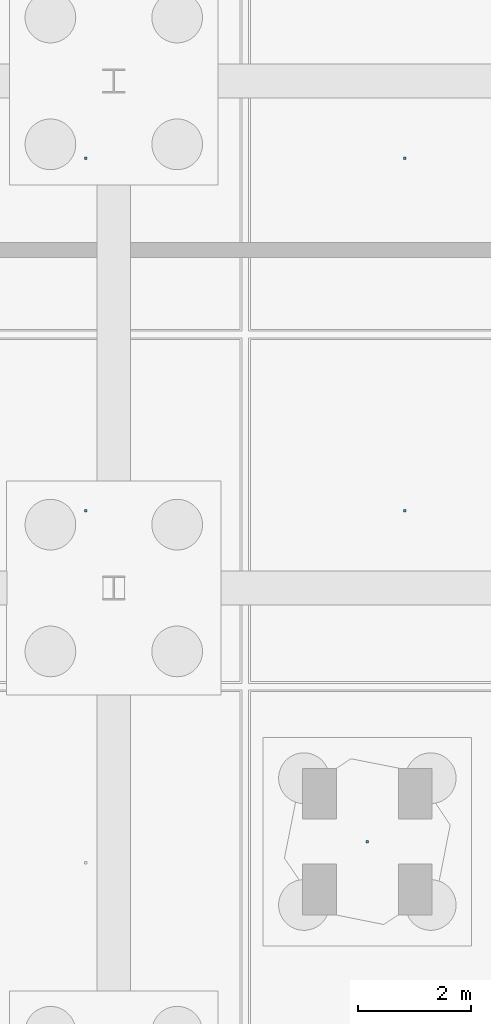
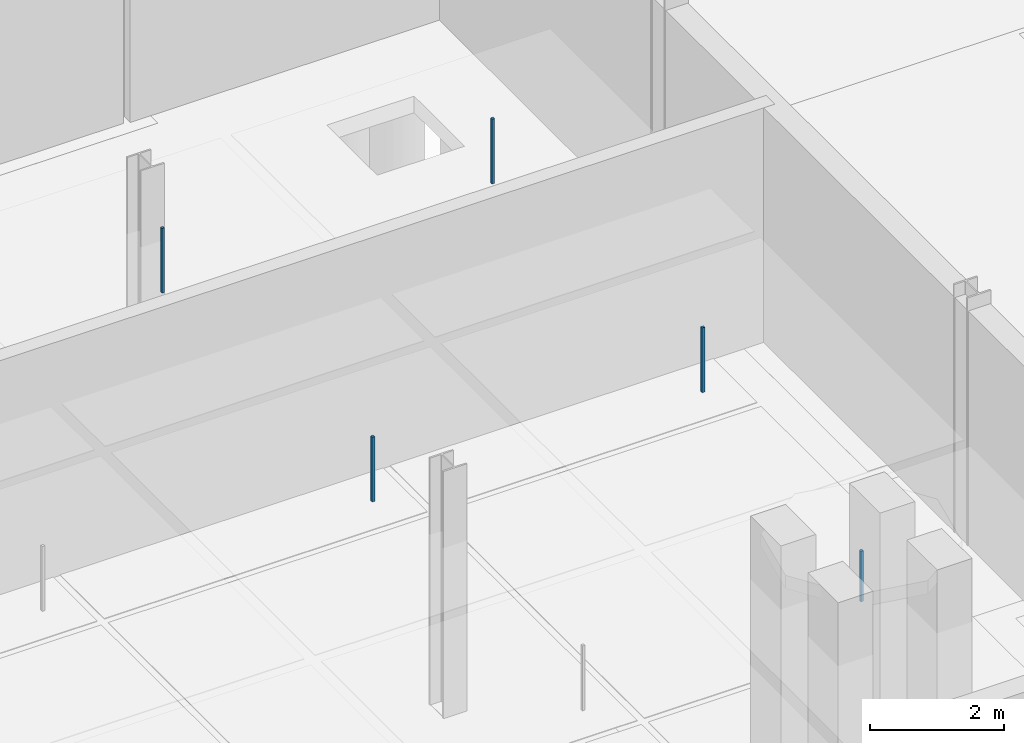
# One storey, part 42 of 48: 5 discrete accessories.
"""IFC4 building model written with IfcOpenShell, lengths in metres."""

from ifc_helpers import new_model, si_unit, direction, frame, origin, origin_2d, place, context, subcontext, project, spatial, rectangle, extrude, material, type_object, element, save


model = new_model("IFC4")

# Units and contexts
model_context = context("Model", 3, precision=1e-05, world=origin(), true_north=direction((0.0, 1.0)))
body_context = subcontext(model_context, "Body", "Model", "MODEL_VIEW")
ifc_project = project(units=[si_unit("LENGTHUNIT", "METRE"), si_unit("AREAUNIT", "SQUARE_METRE"), si_unit("VOLUMEUNIT", "CUBIC_METRE"), si_unit("PLANEANGLEUNIT", "RADIAN"), si_unit("MASSUNIT", "GRAM", prefix="KILO"), si_unit("THERMODYNAMICTEMPERATUREUNIT", "KELVIN"), si_unit("POWERUNIT", "WATT")], contexts=[model_context])

# Site, building, storey
site_placement = place(None, origin())
site = spatial("IfcSite", under=ifc_project, at=site_placement, CompositionType="ELEMENT")
building_placement = place(site_placement, origin())
building = spatial("IfcBuilding", under=site, at=building_placement, Name="Tallowbark Science Centre", CompositionType="ELEMENT")
storey_placement = place(building_placement, frame((0.0, 0.0, -4.5)))
storey = spatial("IfcBuildingStorey", under=building, at=storey_placement, Name="B1", CompositionType="ELEMENT", Elevation=-4.5)

# Discrete accessories
ifc_material = material(Name="Galvanised Steel Grade C350L0 (350 MPa)", Category="steel")
discrete_accessory_type = type_object("IfcDiscreteAccessoryType", Name="ACC-CLG-HNG", PredefinedType="BRACKET", material=ifc_material)
for number, where, z_axis, x_axis, name in (
    (1, (139.0, 82.375, 3.10595703125), (0.0, 0.0, 1.0), (1.0, 0.0, 0.0), "Ceiling Hanger Bracket B1-70"),
    (2, (139.0, 88.625, 3.10595703125), (0.0, 0.0, 1.0), (1.0, 0.0, 0.0), "Ceiling Hanger Bracket B1-71"),
):
    element("IfcDiscreteAccessory", number, at=place(storey_placement, frame(where, z_axis=z_axis, x_axis=x_axis)), inside=storey, type_object=discrete_accessory_type, Name=name, PredefinedType="BRACKET", context=body_context, shape_type="SweptSolid", body=[
        extrude(rectangle(XDim=0.044921875, YDim=0.044921875, at=origin_2d()), origin(), (0.0, 0.0, 1.0), 1.177001953125),
    ])
discrete_accessory_placement = place(storey_placement, frame((144.0, 76.5, 3.10595703125), z_axis=(0.0, 0.0, 1.0), x_axis=(1.0, 0.0, 0.0)))
element("IfcDiscreteAccessory", 3, at=discrete_accessory_placement, inside=storey, type_object=discrete_accessory_type, Name="Ceiling Hanger Bracket B1-72", PredefinedType="BRACKET", context=body_context, shape_type="SweptSolid", body=[
    extrude(rectangle(XDim=0.044921875, YDim=0.044921875, at=origin_2d()), origin(), (0.0, 0.0, 1.0), 0.9169921875),
])
for number, where, z_axis, x_axis, name in (
    (4, (144.666748046875, 82.375, 3.10595703125), (0.0, 0.0, 1.0), (1.0, 0.0, 0.0), "Ceiling Hanger Bracket B1-73"),
    (5, (144.666748046875, 88.625, 3.10595703125), (0.0, 0.0, 1.0), (1.0, 0.0, 0.0), "Ceiling Hanger Bracket B1-74"),
):
    element("IfcDiscreteAccessory", number, at=place(storey_placement, frame(where, z_axis=z_axis, x_axis=x_axis)), inside=storey, type_object=discrete_accessory_type, Name=name, PredefinedType="BRACKET", context=body_context, shape_type="SweptSolid", body=[
        extrude(rectangle(XDim=0.044921875, YDim=0.044921875, at=origin_2d()), origin(), (0.0, 0.0, 1.0), 1.177001953125),
    ])

save(model, "model.ifc")
